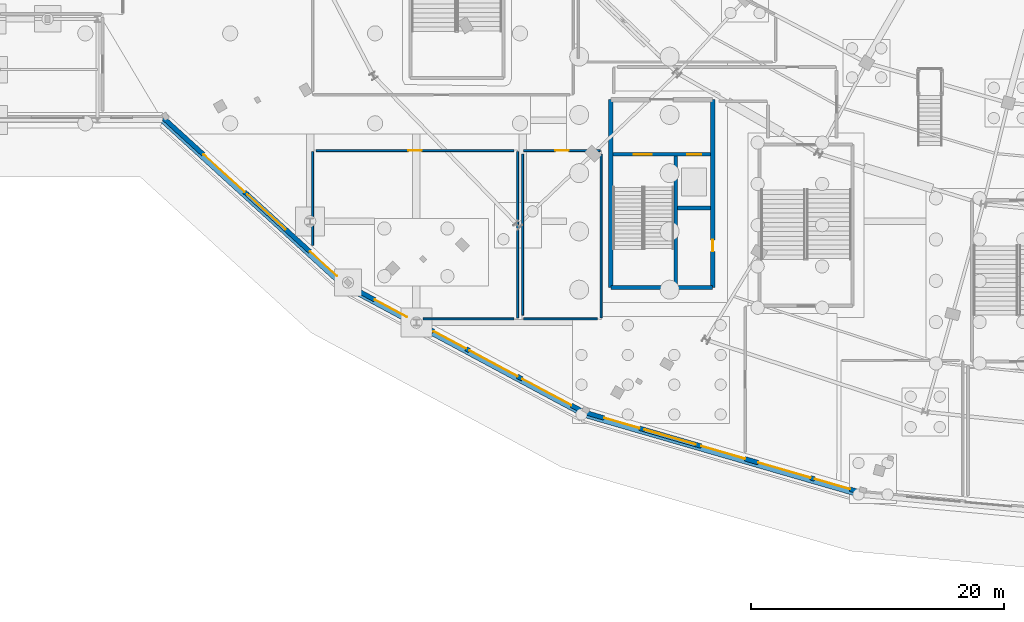
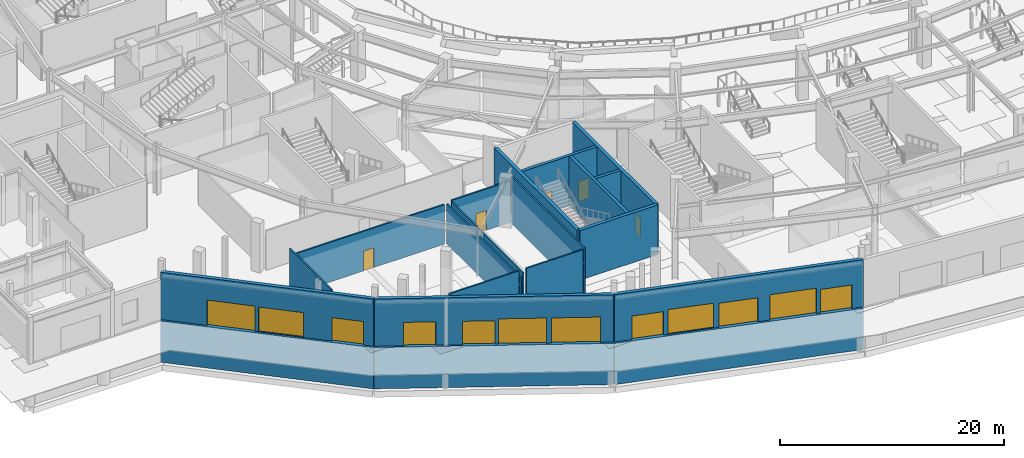
# One storey, part 51 of 93: 20 walls, 17 doors, 17 openings.
"""IFC4 building model written with IfcOpenShell, lengths in metres."""

from ifc_helpers import new_model, si_unit, direction, frame, frame_2d, origin, place, context, subcontext, project, spatial, rectangle, extrude, material, layer, layer_set, type_object, element, fill, save


model = new_model("IFC4")

# Units and contexts
model_context = context("Model", 3, precision=1e-05, world=origin(), true_north=direction((0.0, 1.0)))
body_context = subcontext(model_context, "Body", "Model", "MODEL_VIEW")
ifc_project = project(units=[si_unit("LENGTHUNIT", "METRE"), si_unit("AREAUNIT", "SQUARE_METRE"), si_unit("VOLUMEUNIT", "CUBIC_METRE"), si_unit("PLANEANGLEUNIT", "RADIAN"), si_unit("MASSUNIT", "GRAM", prefix="KILO")], contexts=[model_context])

# Site, building, storey
site_placement = place(None, origin())
site = spatial("IfcSite", under=ifc_project, at=site_placement, CompositionType="ELEMENT")
building_placement = place(site_placement, origin())
building = spatial("IfcBuilding", under=site, at=building_placement, Name="Kalgoora Escarpment Arena", CompositionType="ELEMENT")
storey_placement = place(building_placement, origin())
storey = spatial("IfcBuildingStorey", under=building, at=storey_placement, Name="L00", CompositionType="ELEMENT", Elevation=0.0)

# Walls
ifc_material_1 = material(Name="Impact-resistant athlete corridor partition", Category="gypsum")
ifc_layer_1 = layer(ifc_material_1, 0.155029296875)
ifc_layer_set_1 = layer_set([ifc_layer_1], Name="WAL-BOH-155")
wall_type_1 = type_object("IfcWallType", Name="WAL-BOH-155", PredefinedType="PARTITIONING", material=ifc_layer_set_1)
wall_1_placement = place(storey_placement, frame((41.60009765625, 29.52001953125, 0.0), z_axis=(0.0, 0.0, 1.0), x_axis=(0.0, -1.0, 0.0)))
element("IfcWall", 1, at=wall_1_placement, inside=storey, type_object=wall_type_1, Name="L00 Home Athlete Dressing Room partition wall", PredefinedType="PARTITIONING", context=body_context, shape_type="SweptSolid", body=[
    extrude(rectangle(XDim=13.14013671875, YDim=0.155029296875, at=frame_2d((6.570068359375, 0.0))), origin(), (0.0, 0.0, 1.0), 4.31494140625),
])
wall_2_placement = place(storey_placement, frame((41.315185546875, 16.300048828125, 0.0), z_axis=(0.0, 0.0, 1.0), x_axis=(-1.0, 0.0, 0.0)))
element("IfcWall", 2, at=wall_2_placement, inside=storey, type_object=wall_type_1, Name="L00 Home Athlete Dressing Room partition wall", PredefinedType="PARTITIONING", context=body_context, shape_type="SweptSolid", body=[
    extrude(rectangle(XDim=7.172607421875, YDim=0.155029296875, at=frame_2d((3.58642578125, 0.0))), origin(), (0.0, 0.0, 1.0), 5.139892578125),
])
wall_3_placement = place(storey_placement, frame((25.39990234375, 22.109130859375, 0.0), z_axis=(0.0, 0.0, 1.0), x_axis=(0.0, 1.0, 0.0)))
element("IfcWall", 3, at=wall_3_placement, inside=storey, type_object=wall_type_1, Name="L00 Home Athlete Dressing Room partition wall", PredefinedType="PARTITIONING", context=body_context, shape_type="SweptSolid", body=[
    extrude(rectangle(XDim=7.410888671875, YDim=0.155029296875, at=frame_2d((3.70556640625, 0.0))), origin(), (0.0, 0.0, 1.0), 5.139892578125),
])

# Wall, opening, door
wall_4_placement = place(storey_placement, frame((25.684814453125, 29.60009765625, 0.0), z_axis=(0.0, 0.0, 1.0), x_axis=(1.0, 0.0, 0.0)))
wall_4 = element("IfcWall", 4, at=wall_4_placement, inside=storey, type_object=wall_type_1, Name="L00 Home Athlete Dressing Room partition wall", PredefinedType="PARTITIONING", context=body_context, shape_type="SweptSolid", body=[
    extrude(rectangle(XDim=15.63037109375, YDim=0.155029296875, at=frame_2d((7.815185546875, 0.0))), origin(), (0.0, 0.0, 1.0), 4.31494140625),
])
opening_1_placement = place(wall_4_placement, frame((7.275146484375, 0.0, 0.0)))
opening_1 = element("IfcOpeningElement", 5, at=opening_1_placement, cuts=wall_4, Name="Opening FD-I012", PredefinedType="OPENING", context=body_context, shape_type="SweptSolid", body=[
    extrude(rectangle(XDim=1.080078125, YDim=2.14990234375, at=frame_2d((0.5400390625, 1.074951171875))), frame((0.0, 0.08740234375, 0.0), z_axis=(0.0, -1.0, 0.0), x_axis=(1.0, 0.0, 0.0)), (0.0, 0.0, 1.0), 0.175048828125),
])
ifc_material_2 = material(Name="Solid-core acoustic timber door", Category="wood")
door_type_1 = type_object("IfcDoorType", Name="DR-GEN-1080", OperationType="NOTDEFINED", PredefinedType="DOOR", material=ifc_material_2)
door_1_placement = place(opening_1_placement, origin())
door_1 = element("IfcDoor", 6, at=door_1_placement, inside=storey, type_object=door_type_1, Name="Home Athlete Dressing Room entrance door", OperationType="SINGLE_SWING_LEFT", OverallHeight=2.14990234375, OverallWidth=1.080078125, PredefinedType="DOOR", context=body_context, shape_type="SweptSolid", body=[
    extrude(rectangle(XDim=1.080078125, YDim=2.14990234375, at=frame_2d((0.5400390625, 1.074951171875))), frame((0.0, 0.02490234375, 0.0), z_axis=(0.0, -1.0, 0.0), x_axis=(1.0, 0.0, 0.0)), (0.0, 0.0, 1.0), 0.050048828125),
])
fill(opening_1, door_1)

wall_5_placement = place(storey_placement, frame((42.080078125, 29.60009765625, 0.0), z_axis=(0.0, 0.0, 1.0), x_axis=(1.0, 0.0, 0.0)))
wall_5 = element("IfcWall", 7, at=wall_5_placement, inside=storey, type_object=wall_type_1, Name="L00 Away Athlete Dressing Room partition wall", PredefinedType="PARTITIONING", context=body_context, shape_type="SweptSolid", body=[
    extrude(rectangle(XDim=6.0400390625, YDim=0.155029296875, at=frame_2d((3.02001953125, 0.0))), origin(), (0.0, 0.0, 1.0), 4.5029296875),
])
opening_2_placement = place(wall_5_placement, frame((2.47998046875, 0.0, 0.0)))
opening_2 = element("IfcOpeningElement", 8, at=opening_2_placement, cuts=wall_5, Name="Opening FD-I013", PredefinedType="OPENING", context=body_context, shape_type="SweptSolid", body=[
    extrude(rectangle(XDim=1.080078125, YDim=2.14990234375, at=frame_2d((0.5400390625, 1.074951171875))), frame((0.0, 0.08740234375, 0.0), z_axis=(0.0, -1.0, 0.0), x_axis=(1.0, 0.0, 0.0)), (0.0, 0.0, 1.0), 0.175048828125),
])
door_2_placement = place(opening_2_placement, origin())
door_2 = element("IfcDoor", 9, at=door_2_placement, inside=storey, type_object=door_type_1, Name="Away Athlete Dressing Room entrance door", OperationType="SINGLE_SWING_RIGHT", OverallHeight=2.14990234375, OverallWidth=1.080078125, PredefinedType="DOOR", context=body_context, shape_type="SweptSolid", body=[
    extrude(rectangle(XDim=1.080078125, YDim=2.14990234375, at=frame_2d((0.5400390625, 1.074951171875))), frame((0.0, 0.02490234375, 0.0), z_axis=(0.0, -1.0, 0.0), x_axis=(1.0, 0.0, 0.0)), (0.0, 0.0, 1.0), 0.050048828125),
])
fill(opening_2, door_2)

# Walls
wall_6_placement = place(storey_placement, frame((48.199951171875, 29.315185546875, 0.0), z_axis=(0.0, 0.0, 1.0), x_axis=(0.0, -1.0, 0.0)))
element("IfcWall", 10, at=wall_6_placement, inside=storey, type_object=wall_type_1, Name="L00 Away Athlete Dressing Room partition wall", PredefinedType="PARTITIONING", context=body_context, shape_type="SweptSolid", body=[
    extrude(rectangle(XDim=12.935302734375, YDim=0.155029296875, at=frame_2d((6.4677734375, 0.0))), origin(), (0.0, 0.0, 1.0), 5.139892578125),
])
wall_7_placement = place(storey_placement, frame((47.915283203125, 16.300048828125, 0.0), z_axis=(0.0, 0.0, 1.0), x_axis=(-1.0, 0.0, 0.0)))
element("IfcWall", 11, at=wall_7_placement, inside=storey, type_object=wall_type_1, Name="L00 Away Athlete Dressing Room partition wall", PredefinedType="PARTITIONING", context=body_context, shape_type="SweptSolid", body=[
    extrude(rectangle(XDim=5.835205078125, YDim=0.155029296875, at=frame_2d((2.91748046875, 0.0))), origin(), (0.0, 0.0, 1.0), 5.139892578125),
])
wall_8_placement = place(storey_placement, frame((42.0, 16.584716796875, 0.0), z_axis=(0.0, 0.0, 1.0), x_axis=(0.0, 1.0, 0.0)))
element("IfcWall", 12, at=wall_8_placement, inside=storey, type_object=wall_type_1, Name="L00 Away Athlete Dressing Room partition wall", PredefinedType="PARTITIONING", context=body_context, shape_type="SweptSolid", body=[
    extrude(rectangle(XDim=12.73046875, YDim=0.155029296875, at=frame_2d((6.365234375, 0.0))), origin(), (0.0, 0.0, 1.0), 4.5029296875),
])
ifc_material_3 = material(Name="Concrete N50 (fc' 50 MPa)", Category="concrete")
ifc_layer_2 = layer(ifc_material_3, 0.35009765625)
ifc_layer_set_2 = layer_set([ifc_layer_2], Name="WAL-CORE-350")
wall_type_2 = type_object("IfcWallType", Name="WAL-CORE-350", PredefinedType="SHEAR", material=ifc_layer_set_2)
wall_9_placement = place(storey_placement, frame((48.97509765625, 18.77490234375, 0.0), z_axis=(0.0, 0.0, 1.0), x_axis=(1.0, 0.0, 0.0)))
element("IfcWall", 13, at=wall_9_placement, inside=storey, type_object=wall_type_2, Name="Core C5 L00 south shear wall", PredefinedType="SHEAR", context=body_context, shape_type="SweptSolid", body=[
    extrude(rectangle(XDim=8.0498046875, YDim=0.35009765625, at=frame_2d((4.02490234375, 0.0))), origin(), (0.0, 0.0, 1.0), 5.39990234375),
])
wall_10_placement = place(storey_placement, frame((48.97509765625, 18.77490234375, 0.0), z_axis=(0.0, 0.0, 1.0), x_axis=(0.0, 1.0, 0.0)))
element("IfcWall", 14, at=wall_10_placement, inside=storey, type_object=wall_type_2, Name="Core C5 L00 west shear wall", PredefinedType="SHEAR", context=body_context, shape_type="SweptSolid", body=[
    extrude(rectangle(XDim=14.85009765625, YDim=0.35009765625, at=frame_2d((7.425048828125, 0.0))), origin(), (0.0, 0.0, 1.0), 5.39990234375),
])

# Wall, opening, door
wall_11_placement = place(storey_placement, frame((57.02490234375, 18.77490234375, 0.0), z_axis=(0.0, 0.0, 1.0), x_axis=(0.0, 1.0, 0.0)))
wall_11 = element("IfcWall", 15, at=wall_11_placement, inside=storey, type_object=wall_type_2, Name="Core C5 L00 east shear wall", PredefinedType="SHEAR", context=body_context, shape_type="SweptSolid", body=[
    extrude(rectangle(XDim=14.85009765625, YDim=0.35009765625, at=frame_2d((7.425048828125, 0.0))), origin(), (0.0, 0.0, 1.0), 5.39990234375),
])
opening_3_placement = place(wall_11_placement, frame((2.85498046875, 0.0, 0.0)))
opening_3 = element("IfcOpeningElement", 16, at=opening_3_placement, cuts=wall_11, Name="Opening FD-C5R", PredefinedType="OPENING", context=body_context, shape_type="SweptSolid", body=[
    extrude(rectangle(XDim=0.89990234375, YDim=2.10009765625, at=frame_2d((0.449951171875, 1.050048828125))), frame((0.0, 0.18505859375, 0.0), z_axis=(0.0, -1.0, 0.0), x_axis=(1.0, 0.0, 0.0)), (0.0, 0.0, 1.0), 0.3701171875),
])
ifc_material_4 = material(Name="Fire-rated steel riser access door", Category="steel")
door_type_2 = type_object("IfcDoorType", Name="DR-RISER-0900", OperationType="NOTDEFINED", PredefinedType="DOOR", material=ifc_material_4)
door_3_placement = place(opening_3_placement, origin())
door_3 = element("IfcDoor", 17, at=door_3_placement, inside=storey, type_object=door_type_2, Name="Core C5 L00 riser cupboard access door", OperationType="SINGLE_SWING_RIGHT", OverallHeight=2.10009765625, OverallWidth=0.89990234375, PredefinedType="DOOR", context=body_context, shape_type="SweptSolid", body=[
    extrude(rectangle(XDim=0.89990234375, YDim=2.10009765625, at=frame_2d((0.449951171875, 1.050048828125))), frame((0.0, 0.02490234375, 0.0), z_axis=(0.0, -1.0, 0.0), x_axis=(1.0, 0.0, 0.0)), (0.0, 0.0, 1.0), 0.050048828125),
])
fill(opening_3, door_3)

# Wall, openings, doors
ifc_material_5 = material(Name="Cream limestone-faced precast concrete 40 MPa", Category="masonry")
ifc_layer_3 = layer(ifc_material_5, 0.360107421875)
ifc_layer_set_3 = layer_set([ifc_layer_3], Name="WAL-EXT-360")
wall_type_3 = type_object("IfcWallType", Name="WAL-EXT-360", PredefinedType="SOLIDWALL", material=ifc_layer_set_3)
wall_12_placement = place(storey_placement, frame((68.88720703125, 2.534912109375, 0.0), z_axis=(0.0, 0.0, 1.0), x_axis=(-0.960488382724, 0.278320079498, 0.0)))
wall_12 = element("IfcWall", 18, at=wall_12_placement, inside=storey, type_object=wall_type_3, Name="L00 limestone-faced external wall 007", PredefinedType="SOLIDWALL", context=body_context, shape_type="SweptSolid", body=[
    extrude(rectangle(XDim=22.98681640625, YDim=0.360107421875, at=frame_2d((11.493408203125, 0.0))), origin(), (0.0, 0.0, 1.0), 5.14990234375),
])
opening_4_placement = place(wall_12_placement, frame((1.06005859375, 0.0, 0.0)))
opening_4 = element("IfcOpeningElement", 19, at=opening_4_placement, cuts=wall_12, Name="Opening G08", PredefinedType="OPENING", context=body_context, shape_type="SweptSolid", body=[
    extrude(rectangle(XDim=2.89990234375, YDim=2.550048828125, at=frame_2d((1.449951171875, 1.27490234375))), frame((0.0, 0.18994140625, 0.0), z_axis=(0.0, -1.0, 0.0), x_axis=(1.0, 0.0, 0.0)), (0.0, 0.0, 1.0), 0.380126953125),
])
opening_5_placement = place(wall_12_placement, frame((9.693115234375, 0.0, 0.0)))
opening_5 = element("IfcOpeningElement", 20, at=opening_5_placement, cuts=wall_12, Name="Opening E5", PredefinedType="OPENING", context=body_context, shape_type="SweptSolid", body=[
    extrude(rectangle(XDim=3.60009765625, YDim=2.60009765625, at=frame_2d((1.800048828125, 1.300048828125))), frame((0.0, 0.18994140625, 0.0), z_axis=(0.0, -1.0, 0.0), x_axis=(1.0, 0.0, 0.0)), (0.0, 0.0, 1.0), 0.380126953125),
])
opening_6_placement = place(wall_12_placement, frame((4.300048828125, 0.0, 0.0)))
opening_6 = element("IfcOpeningElement", 21, at=opening_6_placement, cuts=wall_12, Name="Opening G22", PredefinedType="OPENING", context=body_context, shape_type="SweptSolid", body=[
    extrude(rectangle(XDim=4.300048828125, YDim=2.75, at=frame_2d((2.14990234375, 1.375))), frame((0.0, 0.18994140625, 0.0), z_axis=(0.0, -1.0, 0.0), x_axis=(1.0, 0.0, 0.0)), (0.0, 0.0, 1.0), 0.380126953125),
])
opening_7_placement = place(wall_12_placement, frame((13.760009765625, 0.0, 0.0)))
opening_7 = element("IfcOpeningElement", 22, at=opening_7_placement, cuts=wall_12, Name="Opening G23", PredefinedType="OPENING", context=body_context, shape_type="SweptSolid", body=[
    extrude(rectangle(XDim=4.199951171875, YDim=2.699951171875, at=frame_2d((2.10009765625, 1.35009765625))), frame((0.0, 0.18994140625, 0.0), z_axis=(0.0, -1.0, 0.0), x_axis=(1.0, 0.0, 0.0)), (0.0, 0.0, 1.0), 0.380126953125),
])
opening_8_placement = place(wall_12_placement, frame((18.3798828125, 0.0, 0.0)))
opening_8 = element("IfcOpeningElement", 23, at=opening_8_placement, cuts=wall_12, Name="Opening G51", PredefinedType="OPENING", context=body_context, shape_type="SweptSolid", body=[
    extrude(rectangle(XDim=2.89990234375, YDim=2.550048828125, at=frame_2d((1.449951171875, 1.27490234375))), frame((0.0, 0.18994140625, 0.0), z_axis=(0.0, -1.0, 0.0), x_axis=(1.0, 0.0, 0.0)), (0.0, 0.0, 1.0), 0.380126953125),
])
ifc_material_6 = material(Name="Champagne anodised aluminium acoustic egress leaf", Category="aluminium")
door_type_3 = type_object("IfcDoorType", Name="DR-EGEXIT-2750", OperationType="NOTDEFINED", PredefinedType="DOOR", material=ifc_material_6)
door_4_placement = place(opening_7_placement, origin())
door_4 = element("IfcDoor", 24, at=door_4_placement, inside=storey, type_object=door_type_3, Name="Final pedestrian exit door G23", OperationType="DOUBLE_DOOR_SINGLE_SWING", OverallHeight=2.699951171875, OverallWidth=4.199951171875, PredefinedType="DOOR", context=body_context, shape_type="SweptSolid", body=[
    extrude(rectangle(XDim=4.199951171875, YDim=2.699951171875, at=frame_2d((2.10009765625, 1.35009765625))), frame((0.0, 0.02490234375, 0.0), z_axis=(0.0, -1.0, 0.0), x_axis=(1.0, 0.0, 0.0)), (0.0, 0.0, 1.0), 0.050048828125),
])
fill(opening_7, door_4)
ifc_material_7 = material(Name="Champagne anodised aluminium acoustic egress leaf", Category="aluminium")
door_type_4 = type_object("IfcDoorType", Name="DR-EGEXIT-2800", OperationType="NOTDEFINED", PredefinedType="DOOR", material=ifc_material_7)
door_5_placement = place(opening_6_placement, origin())
door_5 = element("IfcDoor", 25, at=door_5_placement, inside=storey, type_object=door_type_4, Name="Final pedestrian exit door G22", OperationType="DOUBLE_DOOR_SINGLE_SWING", OverallHeight=2.75, OverallWidth=4.300048828125, PredefinedType="DOOR", context=body_context, shape_type="SweptSolid", body=[
    extrude(rectangle(XDim=4.300048828125, YDim=2.75, at=frame_2d((2.14990234375, 1.375))), frame((0.0, 0.02490234375, 0.0), z_axis=(0.0, -1.0, 0.0), x_axis=(1.0, 0.0, 0.0)), (0.0, 0.0, 1.0), 0.050048828125),
])
fill(opening_6, door_5)
ifc_material_8 = material(Name="Champagne anodised aluminium & toughened glass", Category="aluminium")
door_type_5 = type_object("IfcDoorType", Name="DR-MAIN-3600", OperationType="NOTDEFINED", PredefinedType="DOOR", material=ifc_material_8)
door_6_placement = place(opening_5_placement, origin())
door_6 = element("IfcDoor", 26, at=door_6_placement, inside=storey, type_object=door_type_5, Name="Main entrance E5", OperationType="DOUBLE_DOOR_SINGLE_SWING", OverallHeight=2.60009765625, OverallWidth=3.60009765625, PredefinedType="DOOR", context=body_context, shape_type="SweptSolid", body=[
    extrude(rectangle(XDim=3.60009765625, YDim=2.60009765625, at=frame_2d((1.800048828125, 1.300048828125))), frame((0.0, 0.02490234375, 0.0), z_axis=(0.0, -1.0, 0.0), x_axis=(1.0, 0.0, 0.0)), (0.0, 0.0, 1.0), 0.050048828125),
])
fill(opening_5, door_6)
ifc_material_9 = material(Name="Champagne anodised aluminium pedestrian egress gate leaf", Category="aluminium")
door_type_6 = type_object("IfcDoorType", Name="DR-PEDGATE-2900", OperationType="NOTDEFINED", PredefinedType="DOOR", material=ifc_material_9)
door_7_placement = place(opening_4_placement, origin())
door_7 = element("IfcDoor", 27, at=door_7_placement, inside=storey, type_object=door_type_6, Name="Final pedestrian exit door G08", OperationType="DOUBLE_DOOR_SINGLE_SWING", OverallHeight=2.550048828125, OverallWidth=2.89990234375, PredefinedType="DOOR", context=body_context, shape_type="SweptSolid", body=[
    extrude(rectangle(XDim=2.89990234375, YDim=2.550048828125, at=frame_2d((1.449951171875, 1.27490234375))), frame((0.0, 0.02490234375, 0.0), z_axis=(0.0, -1.0, 0.0), x_axis=(1.0, 0.0, 0.0)), (0.0, 0.0, 1.0), 0.050048828125),
])
fill(opening_4, door_7)
door_8_placement = place(opening_8_placement, origin())
door_8 = element("IfcDoor", 28, at=door_8_placement, inside=storey, type_object=door_type_6, Name="Final pedestrian exit door G51", OperationType="DOUBLE_DOOR_SINGLE_SWING", OverallHeight=2.550048828125, OverallWidth=2.89990234375, PredefinedType="DOOR", context=body_context, shape_type="SweptSolid", body=[
    extrude(rectangle(XDim=2.89990234375, YDim=2.550048828125, at=frame_2d((1.449951171875, 1.27490234375))), frame((0.0, 0.02490234375, 0.0), z_axis=(0.0, -1.0, 0.0), x_axis=(1.0, 0.0, 0.0)), (0.0, 0.0, 1.0), 0.050048828125),
])
fill(opening_8, door_8)

wall_13_placement = place(storey_placement, frame((46.923095703125, 8.8857421875, 0.0), z_axis=(0.0, 0.0, 1.0), x_axis=(-0.88108153149, 0.47296441184, 0.0)))
wall_13 = element("IfcWall", 29, at=wall_13_placement, inside=storey, type_object=wall_type_3, Name="L00 limestone-faced external wall 008", PredefinedType="SOLIDWALL", context=body_context, shape_type="SweptSolid", body=[
    extrude(rectangle(XDim=21.523681640625, YDim=0.360107421875, at=frame_2d((10.76171875, 0.0))), origin(), (0.0, 0.0, 1.0), 5.14990234375),
])
opening_9_placement = place(wall_13_placement, frame((1.219970703125, 0.0, 0.0)))
opening_9 = element("IfcOpeningElement", 30, at=opening_9_placement, cuts=wall_13, Name="Opening G29", PredefinedType="OPENING", context=body_context, shape_type="SweptSolid", body=[
    extrude(rectangle(XDim=4.39990234375, YDim=2.75, at=frame_2d((2.199951171875, 1.375))), frame((0.0, 0.18994140625, 0.0), z_axis=(0.0, -1.0, 0.0), x_axis=(1.0, 0.0, 0.0)), (0.0, 0.0, 1.0), 0.380126953125),
])
opening_10_placement = place(wall_13_placement, frame((6.06005859375, 0.0, 0.0)))
opening_10 = element("IfcOpeningElement", 31, at=opening_10_placement, cuts=wall_13, Name="Opening G30", PredefinedType="OPENING", context=body_context, shape_type="SweptSolid", body=[
    extrude(rectangle(XDim=4.300048828125, YDim=2.75, at=frame_2d((2.14990234375, 1.375))), frame((0.0, 0.18994140625, 0.0), z_axis=(0.0, -1.0, 0.0), x_axis=(1.0, 0.0, 0.0)), (0.0, 0.0, 1.0), 0.380126953125),
])
opening_11_placement = place(wall_13_placement, frame((10.679931640625, 0.0, 0.0)))
opening_11 = element("IfcOpeningElement", 32, at=opening_11_placement, cuts=wall_13, Name="Opening G56", PredefinedType="OPENING", context=body_context, shape_type="SweptSolid", body=[
    extrude(rectangle(XDim=2.89990234375, YDim=2.550048828125, at=frame_2d((1.449951171875, 1.27490234375))), frame((0.0, 0.18994140625, 0.0), z_axis=(0.0, -1.0, 0.0), x_axis=(1.0, 0.0, 0.0)), (0.0, 0.0, 1.0), 0.380126953125),
])
opening_12_placement = place(wall_13_placement, frame((15.9599609375, 0.0, 0.0)))
opening_12 = element("IfcOpeningElement", 33, at=opening_12_placement, cuts=wall_13, Name="Opening G57", PredefinedType="OPENING", context=body_context, shape_type="SweptSolid", body=[
    extrude(rectangle(XDim=2.89990234375, YDim=2.550048828125, at=frame_2d((1.449951171875, 1.27490234375))), frame((0.0, 0.18994140625, 0.0), z_axis=(0.0, -1.0, 0.0), x_axis=(1.0, 0.0, 0.0)), (0.0, 0.0, 1.0), 0.380126953125),
])
door_9_placement = place(opening_10_placement, origin())
door_9 = element("IfcDoor", 34, at=door_9_placement, inside=storey, type_object=door_type_4, Name="Final pedestrian exit door G30", OperationType="DOUBLE_DOOR_SINGLE_SWING", OverallHeight=2.75, OverallWidth=4.300048828125, PredefinedType="DOOR", context=body_context, shape_type="SweptSolid", body=[
    extrude(rectangle(XDim=4.300048828125, YDim=2.75, at=frame_2d((2.14990234375, 1.375))), frame((0.0, 0.02490234375, 0.0), z_axis=(0.0, -1.0, 0.0), x_axis=(1.0, 0.0, 0.0)), (0.0, 0.0, 1.0), 0.050048828125),
])
fill(opening_10, door_9)
ifc_material_10 = material(Name="Champagne anodised aluminium acoustic egress leaf", Category="aluminium")
door_type_7 = type_object("IfcDoorType", Name="DR-EGEXIT-2850", OperationType="NOTDEFINED", PredefinedType="DOOR", material=ifc_material_10)
door_10_placement = place(opening_9_placement, origin())
door_10 = element("IfcDoor", 35, at=door_10_placement, inside=storey, type_object=door_type_7, Name="Final pedestrian exit door G29", OperationType="DOUBLE_DOOR_SINGLE_SWING", OverallHeight=2.75, OverallWidth=4.39990234375, PredefinedType="DOOR", context=body_context, shape_type="SweptSolid", body=[
    extrude(rectangle(XDim=4.39990234375, YDim=2.75, at=frame_2d((2.199951171875, 1.375))), frame((0.0, 0.02490234375, 0.0), z_axis=(0.0, -1.0, 0.0), x_axis=(1.0, 0.0, 0.0)), (0.0, 0.0, 1.0), 0.050048828125),
])
fill(opening_9, door_10)
door_11_placement = place(opening_11_placement, origin())
door_11 = element("IfcDoor", 36, at=door_11_placement, inside=storey, type_object=door_type_6, Name="Final pedestrian exit door G56", OperationType="DOUBLE_DOOR_SINGLE_SWING", OverallHeight=2.550048828125, OverallWidth=2.89990234375, PredefinedType="DOOR", context=body_context, shape_type="SweptSolid", body=[
    extrude(rectangle(XDim=2.89990234375, YDim=2.550048828125, at=frame_2d((1.449951171875, 1.27490234375))), frame((0.0, 0.02490234375, 0.0), z_axis=(0.0, -1.0, 0.0), x_axis=(1.0, 0.0, 0.0)), (0.0, 0.0, 1.0), 0.050048828125),
])
fill(opening_11, door_11)
door_12_placement = place(opening_12_placement, origin())
door_12 = element("IfcDoor", 37, at=door_12_placement, inside=storey, type_object=door_type_6, Name="Final pedestrian exit door G57", OperationType="DOUBLE_DOOR_SINGLE_SWING", OverallHeight=2.550048828125, OverallWidth=2.89990234375, PredefinedType="DOOR", context=body_context, shape_type="SweptSolid", body=[
    extrude(rectangle(XDim=2.89990234375, YDim=2.550048828125, at=frame_2d((1.449951171875, 1.27490234375))), frame((0.0, 0.02490234375, 0.0), z_axis=(0.0, -1.0, 0.0), x_axis=(1.0, 0.0, 0.0)), (0.0, 0.0, 1.0), 0.050048828125),
])
fill(opening_12, door_12)

wall_14_placement = place(storey_placement, frame((28.065185546875, 18.990478515625, 0.0), z_axis=(0.0, 0.0, 1.0), x_axis=(-0.73898948924, 0.673716954509, 0.0)))
wall_14 = element("IfcWall", 38, at=wall_14_placement, inside=storey, type_object=wall_type_3, Name="L00 limestone-faced external wall 009", PredefinedType="SOLIDWALL", context=body_context, shape_type="SweptSolid", body=[
    extrude(rectangle(XDim=19.55078125, YDim=0.360107421875, at=frame_2d((9.775390625, 0.0))), origin(), (0.0, 0.0, 1.0), 5.14990234375),
])
opening_13_placement = place(wall_14_placement, frame((6.5, 0.0, 0.0)))
opening_13 = element("IfcOpeningElement", 39, at=opening_13_placement, cuts=wall_14, Name="Opening G36", PredefinedType="OPENING", context=body_context, shape_type="SweptSolid", body=[
    extrude(rectangle(XDim=4.10009765625, YDim=2.699951171875, at=frame_2d((2.050048828125, 1.35009765625))), frame((0.0, 0.18994140625, 0.0), z_axis=(0.0, -1.0, 0.0), x_axis=(1.0, 0.0, 0.0)), (0.0, 0.0, 1.0), 0.380126953125),
])
opening_14_placement = place(wall_14_placement, frame((10.89990234375, 0.0, 0.0)))
opening_14 = element("IfcOpeningElement", 40, at=opening_14_placement, cuts=wall_14, Name="Opening G37", PredefinedType="OPENING", context=body_context, shape_type="SweptSolid", body=[
    extrude(rectangle(XDim=4.39990234375, YDim=2.75, at=frame_2d((2.199951171875, 1.375))), frame((0.0, 0.18994140625, 0.0), z_axis=(0.0, -1.0, 0.0), x_axis=(1.0, 0.0, 0.0)), (0.0, 0.0, 1.0), 0.380126953125),
])
opening_15_placement = place(wall_14_placement, frame((1.0, 0.0, 0.0)))
opening_15 = element("IfcOpeningElement", 41, at=opening_15_placement, cuts=wall_14, Name="Opening G60", PredefinedType="OPENING", context=body_context, shape_type="SweptSolid", body=[
    extrude(rectangle(XDim=2.89990234375, YDim=2.550048828125, at=frame_2d((1.449951171875, 1.27490234375))), frame((0.0, 0.18994140625, 0.0), z_axis=(0.0, -1.0, 0.0), x_axis=(1.0, 0.0, 0.0)), (0.0, 0.0, 1.0), 0.380126953125),
])
ifc_material_11 = material(Name="Champagne anodised aluminium acoustic egress leaf", Category="aluminium")
door_type_8 = type_object("IfcDoorType", Name="DR-EGEXIT-2700", OperationType="NOTDEFINED", PredefinedType="DOOR", material=ifc_material_11)
door_13_placement = place(opening_13_placement, origin())
door_13 = element("IfcDoor", 42, at=door_13_placement, inside=storey, type_object=door_type_8, Name="Final pedestrian exit door G36", OperationType="DOUBLE_DOOR_SINGLE_SWING", OverallHeight=2.699951171875, OverallWidth=4.10009765625, PredefinedType="DOOR", context=body_context, shape_type="SweptSolid", body=[
    extrude(rectangle(XDim=4.10009765625, YDim=2.699951171875, at=frame_2d((2.050048828125, 1.35009765625))), frame((0.0, 0.02490234375, 0.0), z_axis=(0.0, -1.0, 0.0), x_axis=(1.0, 0.0, 0.0)), (0.0, 0.0, 1.0), 0.050048828125),
])
fill(opening_13, door_13)
door_14_placement = place(opening_14_placement, origin())
door_14 = element("IfcDoor", 43, at=door_14_placement, inside=storey, type_object=door_type_7, Name="Final pedestrian exit door G37", OperationType="DOUBLE_DOOR_SINGLE_SWING", OverallHeight=2.75, OverallWidth=4.39990234375, PredefinedType="DOOR", context=body_context, shape_type="SweptSolid", body=[
    extrude(rectangle(XDim=4.39990234375, YDim=2.75, at=frame_2d((2.199951171875, 1.375))), frame((0.0, 0.02490234375, 0.0), z_axis=(0.0, -1.0, 0.0), x_axis=(1.0, 0.0, 0.0)), (0.0, 0.0, 1.0), 0.050048828125),
])
fill(opening_14, door_14)
door_15_placement = place(opening_15_placement, origin())
door_15 = element("IfcDoor", 44, at=door_15_placement, inside=storey, type_object=door_type_6, Name="Final pedestrian exit door G60", OperationType="DOUBLE_DOOR_SINGLE_SWING", OverallHeight=2.550048828125, OverallWidth=2.89990234375, PredefinedType="DOOR", context=body_context, shape_type="SweptSolid", body=[
    extrude(rectangle(XDim=2.89990234375, YDim=2.550048828125, at=frame_2d((1.449951171875, 1.27490234375))), frame((0.0, 0.02490234375, 0.0), z_axis=(0.0, -1.0, 0.0), x_axis=(1.0, 0.0, 0.0)), (0.0, 0.0, 1.0), 0.050048828125),
])
fill(opening_15, door_15)

# Walls
ifc_material_12 = material(Name="Concrete N40 (fc' 40 MPa)", Category="concrete")
ifc_layer_4 = layer(ifc_material_12, 0.39501953125)
ifc_layer_set_4 = layer_set([ifc_layer_4], Name="WAL-RET-395")
wall_type_4 = type_object("IfcWallType", Name="WAL-RET-395", PredefinedType="USERDEFINED", material=ifc_layer_set_4)
wall_15_placement = place(storey_placement, frame((46.800048828125, 8.74755859375, -4.5), z_axis=(0.0, 0.0, 1.0), x_axis=(-0.881081793717, 0.472963923339, 0.0)))
element("IfcWall", 45, at=wall_15_placement, inside=storey, type_object=wall_type_4, Name="Escarpment stepped limestone plinth retaining wall 06", ObjectType="RETAININGWALL", PredefinedType="USERDEFINED", context=body_context, shape_type="SweptSolid", body=[
    extrude(rectangle(XDim=21.4375, YDim=0.39501953125, at=frame_2d((10.71875, 0.0))), origin(), (0.0, 0.0, 1.0), 4.5),
])
ifc_material_13 = material(Name="Concrete N40 (fc' 40 MPa)", Category="concrete")
ifc_layer_5 = layer(ifc_material_13, 0.43994140625)
ifc_layer_set_5 = layer_set([ifc_layer_5], Name="WAL-RET-440")
wall_type_5 = type_object("IfcWallType", Name="WAL-RET-440", PredefinedType="USERDEFINED", material=ifc_layer_set_5)
wall_16_placement = place(storey_placement, frame((68.795654296875, 2.373779296875, -4.5), z_axis=(0.0, 0.0, 1.0), x_axis=(-0.960486896269, 0.278325209236, 0.0)))
element("IfcWall", 46, at=wall_16_placement, inside=storey, type_object=wall_type_5, Name="Escarpment stepped limestone plinth retaining wall 05", ObjectType="RETAININGWALL", PredefinedType="USERDEFINED", context=body_context, shape_type="SweptSolid", body=[
    extrude(rectangle(XDim=22.900390625, YDim=0.43994140625, at=frame_2d((11.4501953125, 0.0))), origin(), (0.0, 0.0, 1.0), 4.5),
])
wall_17_placement = place(storey_placement, frame((27.911865234375, 18.88671875, -4.5), z_axis=(0.0, 0.0, 1.0), x_axis=(-0.738984680234, 0.673722229394, 0.0)))
element("IfcWall", 47, at=wall_17_placement, inside=storey, type_object=wall_type_5, Name="Escarpment stepped limestone plinth retaining wall 07", ObjectType="RETAININGWALL", PredefinedType="USERDEFINED", context=body_context, shape_type="SweptSolid", body=[
    extrude(rectangle(XDim=19.4638671875, YDim=0.43994140625, at=frame_2d((9.73193359375, 0.0))), origin(), (0.0, 0.0, 1.0), 4.5),
])

# Wall, openings, doors
ifc_material_14 = material(Name="Concrete N50 (fc' 50 MPa)", Category="concrete")
ifc_layer_6 = layer(ifc_material_14, 0.300048828125)
ifc_layer_set_6 = layer_set([ifc_layer_6], Name="WAL-SHAFT-300")
wall_type_6 = type_object("IfcWallType", Name="WAL-SHAFT-300", PredefinedType="SHEAR", material=ifc_layer_set_6)
wall_18_placement = place(storey_placement, frame((49.14990234375, 29.300048828125, 0.0), z_axis=(0.0, 0.0, 1.0), x_axis=(1.0, 0.0, 0.0)))
wall_18 = element("IfcWall", 48, at=wall_18_placement, inside=storey, type_object=wall_type_6, Name="Core C5 L00 lobby shaft wall", PredefinedType="SHEAR", context=body_context, shape_type="SweptSolid", body=[
    extrude(rectangle(XDim=7.7001953125, YDim=0.300048828125, at=frame_2d((3.85009765625, 0.0))), origin(), (0.0, 0.0, 1.0), 5.39990234375),
])
opening_16_placement = place(wall_18_placement, frame((1.64990234375, 0.0, 0.0)))
opening_16 = element("IfcOpeningElement", 49, at=opening_16_placement, cuts=wall_18, Name="Opening FD-ST05", PredefinedType="OPENING", context=body_context, shape_type="SweptSolid", body=[
    extrude(rectangle(XDim=1.39990234375, YDim=2.199951171875, at=frame_2d((0.699951171875, 1.10009765625))), frame((0.0, 0.159912109375, 0.0), z_axis=(0.0, -1.0, 0.0), x_axis=(1.0, 0.0, 0.0)), (0.0, 0.0, 1.0), 0.320068359375),
])
opening_17_placement = place(wall_18_placement, frame((5.85009765625, 0.0, 0.0)))
opening_17 = element("IfcOpeningElement", 50, at=opening_17_placement, cuts=wall_18, Name="Opening LD-PL3", PredefinedType="OPENING", context=body_context, shape_type="SweptSolid", body=[
    extrude(rectangle(XDim=1.10009765625, YDim=2.199951171875, at=frame_2d((0.550048828125, 1.10009765625))), frame((0.0, 0.159912109375, 0.0), z_axis=(0.0, -1.0, 0.0), x_axis=(1.0, 0.0, 0.0)), (0.0, 0.0, 1.0), 0.320068359375),
])
ifc_material_15 = material(Name="Brushed stainless steel sliding lift landing door", Category="steel")
door_type_9 = type_object("IfcDoorType", Name="DR-LD-PL3", OperationType="SLIDING_TO_LEFT", PredefinedType="DOOR", material=ifc_material_15)
door_16_placement = place(opening_17_placement, origin())
door_16 = element("IfcDoor", 51, at=door_16_placement, inside=storey, type_object=door_type_9, Name="Lift PL3 L00 sliding landing door", OperationType="SLIDING_TO_LEFT", OverallHeight=2.199951171875, OverallWidth=1.10009765625, PredefinedType="DOOR", context=body_context, shape_type="SweptSolid", body=[
    extrude(rectangle(XDim=1.10009765625, YDim=2.199951171875, at=frame_2d((0.550048828125, 1.10009765625))), frame((0.0, 0.02490234375, 0.0), z_axis=(0.0, -1.0, 0.0), x_axis=(1.0, 0.0, 0.0)), (0.0, 0.0, 1.0), 0.050048828125),
])
fill(opening_17, door_16)
ifc_material_16 = material(Name="Fire-rated steel stair leaf with vision panel", Category="steel")
door_type_10 = type_object("IfcDoorType", Name="DR-STAIR-1400", OperationType="NOTDEFINED", PredefinedType="DOOR", material=ifc_material_16)
door_17_placement = place(opening_16_placement, origin())
door_17 = element("IfcDoor", 52, at=door_17_placement, inside=storey, type_object=door_type_10, Name="Fire stair ST05 L00 fire door", OperationType="SINGLE_SWING_LEFT", OverallHeight=2.199951171875, OverallWidth=1.39990234375, PredefinedType="DOOR", context=body_context, shape_type="SweptSolid", body=[
    extrude(rectangle(XDim=1.39990234375, YDim=2.199951171875, at=frame_2d((0.699951171875, 1.10009765625))), frame((0.0, 0.02490234375, 0.0), z_axis=(0.0, -1.0, 0.0), x_axis=(1.0, 0.0, 0.0)), (0.0, 0.0, 1.0), 0.050048828125),
])
fill(opening_16, door_17)

# Walls
wall_19_placement = place(storey_placement, frame((54.10009765625, 18.949951171875, 0.0), z_axis=(0.0, 0.0, 1.0), x_axis=(0.0, 1.0, 0.0)))
element("IfcWall", 53, at=wall_19_placement, inside=storey, type_object=wall_type_6, Name="Core C5 L00 stair-lift spine wall", PredefinedType="SHEAR", context=body_context, shape_type="SweptSolid", body=[
    extrude(rectangle(XDim=10.35009765625, YDim=0.300048828125, at=frame_2d((5.175048828125, 0.0))), origin(), (0.0, 0.0, 1.0), 5.39990234375),
])
wall_20_placement = place(storey_placement, frame((54.25, 25.050048828125, 0.0), z_axis=(0.0, 0.0, 1.0), x_axis=(1.0, 0.0, 0.0)))
element("IfcWall", 54, at=wall_20_placement, inside=storey, type_object=wall_type_6, Name="Core C5 L00 lift-riser divider wall", PredefinedType="SHEAR", context=body_context, shape_type="SweptSolid", body=[
    extrude(rectangle(XDim=2.60009765625, YDim=0.300048828125, at=frame_2d((1.300048828125, 0.0))), origin(), (0.0, 0.0, 1.0), 5.39990234375),
])

save(model, "model.ifc")
